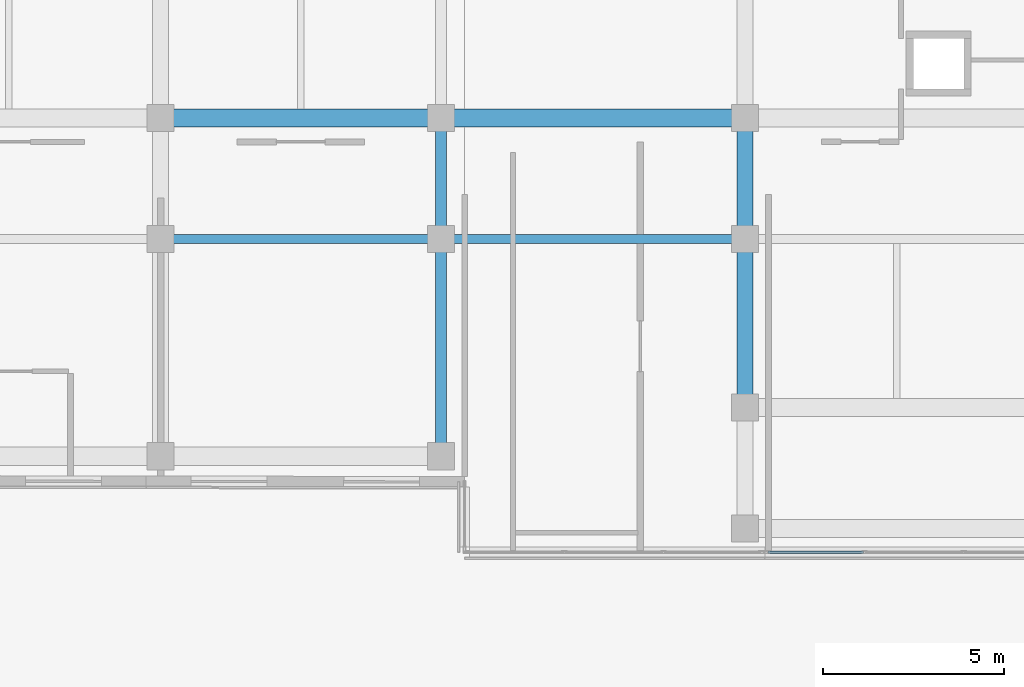
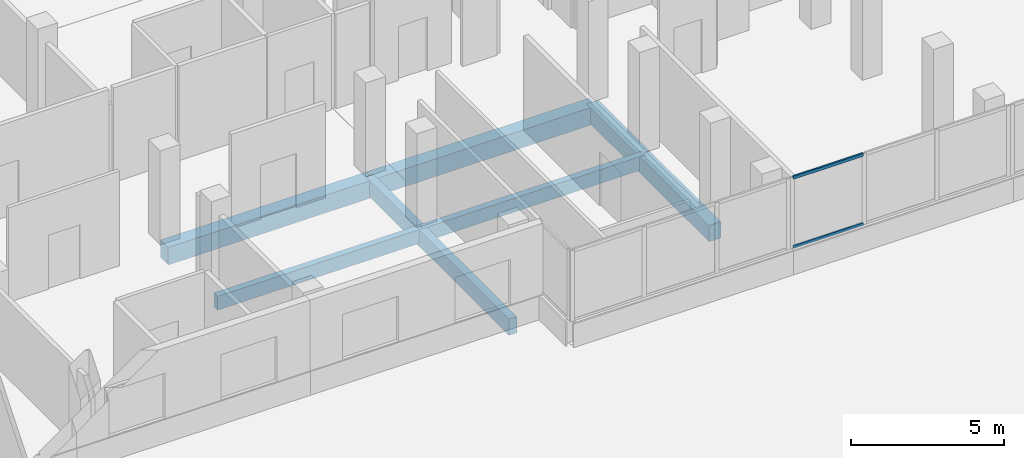
# One storey, part 57 of 101: 8 beams, 2 members, 1 element without a shape of its own.
"""IFC4 building model written with IfcOpenShell, lengths in metres."""

from ifc_helpers import new_model, si_unit, direction, frame, origin, origin_2d, place, context, subcontext, project, spatial, rectangle, hollow_rectangle, extrude, material, material_profile, profile_set, type_object, element, aggregate, save


model = new_model("IFC4")

# Units and contexts
model_context = context("Model", 3, precision=1e-05, world=origin(), true_north=direction((0.0, 1.0)))
body_context = subcontext(model_context, "Body", "Model", "MODEL_VIEW")
ifc_project = project(units=[si_unit("LENGTHUNIT", "METRE"), si_unit("AREAUNIT", "SQUARE_METRE"), si_unit("VOLUMEUNIT", "CUBIC_METRE"), si_unit("PLANEANGLEUNIT", "RADIAN"), si_unit("MASSUNIT", "GRAM", prefix="KILO")], contexts=[model_context])

# Site, building, storey
site_placement = place(None, origin())
site = spatial("IfcSite", under=ifc_project, at=site_placement, CompositionType="ELEMENT")
building_placement = place(site_placement, origin())
building = spatial("IfcBuilding", under=site, at=building_placement, Name="Selatvlak General Hospital", CompositionType="ELEMENT")
storey_placement = place(building_placement, frame((0.0, 0.0, 19.199951171875)))
storey = spatial("IfcBuildingStorey", under=building, at=storey_placement, Name="L04", CompositionType="ELEMENT", Elevation=19.199951171875)

# Beams
ifc_material_1 = material(Name="Concrete C40/50", Category="concrete")
ifc_material_profile_1 = material_profile(ifc_material_1, rectangle(XDim=0.5, YDim=0.699951171875, at=origin_2d()), Name="RC-BM 500x700")
ifc_profile_set_1 = profile_set([ifc_material_profile_1], Name="Concrete C40/50")
beam_type_1 = type_object("IfcBeamType", Name="BM-G03", PredefinedType="BEAM", material=ifc_profile_set_1)
beam_1_placement = place(storey_placement, frame((140.39990234375, 76.0, -0.655029296875), z_axis=(1.0, 0.0, 0.0), x_axis=(0.0, 1.0, 0.0)))
element("IfcBeam", 1, at=beam_1_placement, inside=storey, type_object=beam_type_1, Name="Beam BMR-L04-1527", PredefinedType="BEAM", context=body_context, shape_type="SweptSolid", body=[
    extrude(rectangle(XDim=0.5, YDim=0.699951171875, at=origin_2d()), origin(), (0.0, 0.0, 1.0), 7.75),
])
beam_2_placement = place(storey_placement, frame((148.14990234375, 76.0, -0.655029296875), z_axis=(1.0, 0.0, 0.0), x_axis=(0.0, 1.0, 0.0)))
element("IfcBeam", 2, at=beam_2_placement, inside=storey, type_object=beam_type_1, Name="Beam BMR-L04-1528", PredefinedType="BEAM", context=body_context, shape_type="SweptSolid", body=[
    extrude(rectangle(XDim=0.5, YDim=0.699951171875, at=origin_2d()), origin(), (0.0, 0.0, 1.0), 8.400146484375),
])
ifc_material_profile_2 = material_profile(ifc_material_1, rectangle(XDim=0.449951171875, YDim=0.64990234375, at=origin_2d()), Name="RC-BM 450x650")
ifc_profile_set_2 = profile_set([ifc_material_profile_2], Name="Concrete C40/50")
beam_type_2 = type_object("IfcBeamType", Name="BM-G04", PredefinedType="BEAM", material=ifc_profile_set_2)
beam_3_placement = place(storey_placement, frame((156.550048828125, 68.0, -0.6298828125), z_axis=(0.0, 1.0, 0.0), x_axis=(-1.0, 0.0, 0.0)))
element("IfcBeam", 3, at=beam_3_placement, inside=storey, type_object=beam_type_2, Name="Beam BMR-L04-1740", PredefinedType="BEAM", context=body_context, shape_type="SweptSolid", body=[
    extrude(rectangle(XDim=0.449951171875, YDim=0.64990234375, at=origin_2d()), origin(), (0.0, 0.0, 1.0), 4.64990234375),
])
beam_4_placement = place(storey_placement, frame((156.550048828125, 72.64990234375, -0.6298828125), z_axis=(0.0, 1.0, 0.0), x_axis=(-1.0, 0.0, 0.0)))
element("IfcBeam", 4, at=beam_4_placement, inside=storey, type_object=beam_type_2, Name="Beam BMR-L04-1741", PredefinedType="BEAM", context=body_context, shape_type="SweptSolid", body=[
    extrude(rectangle(XDim=0.449951171875, YDim=0.64990234375, at=origin_2d()), origin(), (0.0, 0.0, 1.0), 3.35009765625),
])
ifc_material_profile_3 = material_profile(ifc_material_1, rectangle(XDim=0.300048828125, YDim=0.64990234375, at=origin_2d()), Name="RC-SP 300x650")
ifc_profile_set_3 = profile_set([ifc_material_profile_3], Name="Concrete C40/50")
beam_type_3 = type_object("IfcBeamType", Name="BM-SP1", PredefinedType="SPANDREL", material=ifc_profile_set_3)
beam_5_placement = place(storey_placement, frame((148.14990234375, 66.64990234375, -0.6298828125), z_axis=(0.0, 1.0, 0.0), x_axis=(-1.0, 0.0, 0.0)))
element("IfcBeam", 5, at=beam_5_placement, inside=storey, type_object=beam_type_3, Name="Beam BMR-L04-1732", PredefinedType="SPANDREL", context=body_context, shape_type="SweptSolid", body=[
    extrude(rectangle(XDim=0.300048828125, YDim=0.64990234375, at=origin_2d()), origin(), (0.0, 0.0, 1.0), 6.0),
])
beam_6_placement = place(storey_placement, frame((148.14990234375, 72.64990234375, -0.6298828125), z_axis=(0.0, 1.0, 0.0), x_axis=(-1.0, 0.0, 0.0)))
element("IfcBeam", 6, at=beam_6_placement, inside=storey, type_object=beam_type_3, Name="Beam BMR-L04-1733", PredefinedType="SPANDREL", context=body_context, shape_type="SweptSolid", body=[
    extrude(rectangle(XDim=0.300048828125, YDim=0.64990234375, at=origin_2d()), origin(), (0.0, 0.0, 1.0), 3.35009765625),
])
ifc_material_profile_4 = material_profile(ifc_material_1, rectangle(XDim=0.25, YDim=0.550048828125, at=origin_2d()), Name="RC-SP 250x550")
ifc_profile_set_4 = profile_set([ifc_material_profile_4], Name="Concrete C40/50")
beam_type_4 = type_object("IfcBeamType", Name="BM-SP2", PredefinedType="SPANDREL", material=ifc_profile_set_4)
beam_7_placement = place(storey_placement, frame((140.39990234375, 72.64990234375, -0.579833984375), z_axis=(1.0, 0.0, 0.0), x_axis=(0.0, 1.0, 0.0)))
element("IfcBeam", 7, at=beam_7_placement, inside=storey, type_object=beam_type_4, Name="Beam BMR-L04-1519", PredefinedType="SPANDREL", context=body_context, shape_type="SweptSolid", body=[
    extrude(rectangle(XDim=0.25, YDim=0.550048828125, at=origin_2d()), origin(), (0.0, 0.0, 1.0), 7.75),
])
beam_8_placement = place(storey_placement, frame((148.14990234375, 72.64990234375, -0.579833984375), z_axis=(1.0, 0.0, 0.0), x_axis=(0.0, 1.0, 0.0)))
element("IfcBeam", 8, at=beam_8_placement, inside=storey, type_object=beam_type_4, Name="Beam BMR-L04-1520", PredefinedType="SPANDREL", context=body_context, shape_type="SweptSolid", body=[
    extrude(rectangle(XDim=0.25, YDim=0.550048828125, at=origin_2d()), origin(), (0.0, 0.0, 1.0), 8.400146484375),
])

# Curtain wall, members
ifc_material_2 = material(Name="Solar-control Low-E double glazing", Category="glass")
curtain_wall_type = type_object("IfcCurtainWallType", Name="CW-CW-02", PredefinedType="USERDEFINED", material=ifc_material_2)
curtain_wall_placement = place(storey_placement, origin())
curtain_wall = element("IfcCurtainWall", 9, at=curtain_wall_placement, inside=storey, type_object=curtain_wall_type, Name="Glazed facade curtain wall CW-L04-0508", ObjectType="UNITISED CURTAIN WALL", PredefinedType="USERDEFINED")
ifc_material_3 = material(Name="Dark anodised aluminium mullion", Category="aluminium")
ifc_material_profile_5 = material_profile(ifc_material_3, hollow_rectangle(XDim=0.06494140625, YDim=0.1201171875, WallThickness=0.00390625, at=origin_2d()), Name="AL-TRN 65x120x4")
ifc_profile_set_5 = profile_set([ifc_material_profile_5], Name="Dark anodised aluminium mullion")
member_type = type_object("IfcMemberType", Name="CWT-01", PredefinedType="USERDEFINED", material=ifc_profile_set_5)
member_1_placement = place(storey_placement, frame((159.8232421875, 64.000244140625, 0.97265625), z_axis=(-0.999999995732, -9.2395823e-05, 0.0), x_axis=(9.2395823e-05, -0.999999995732, 0.0)))
member_1 = element("IfcMember", 10, at=member_1_placement, type_object=member_type, Name="CW-02 transom 3.1", ObjectType="TRANSOM", PredefinedType="USERDEFINED", context=body_context, shape_type="SweptSolid", body=[
    extrude(hollow_rectangle(XDim=0.06494140625, YDim=0.1201171875, WallThickness=0.00390625, at=origin_2d()), origin(), (0.0, 0.0, 1.0), 2.642333984375),
])
member_2_placement = place(storey_placement, frame((159.8232421875, 64.000244140625, 3.737548828125), z_axis=(-0.999999995732, -9.2395823e-05, 0.0), x_axis=(9.2395823e-05, -0.999999995732, 0.0)))
member_2 = element("IfcMember", 11, at=member_2_placement, type_object=member_type, Name="CW-02 transom 3.2", ObjectType="TRANSOM", PredefinedType="USERDEFINED", context=body_context, shape_type="SweptSolid", body=[
    extrude(hollow_rectangle(XDim=0.06494140625, YDim=0.1201171875, WallThickness=0.00390625, at=origin_2d()), origin(), (0.0, 0.0, 1.0), 2.642333984375),
])
aggregate(curtain_wall, [member_1, member_2])

save(model, "model.ifc")
